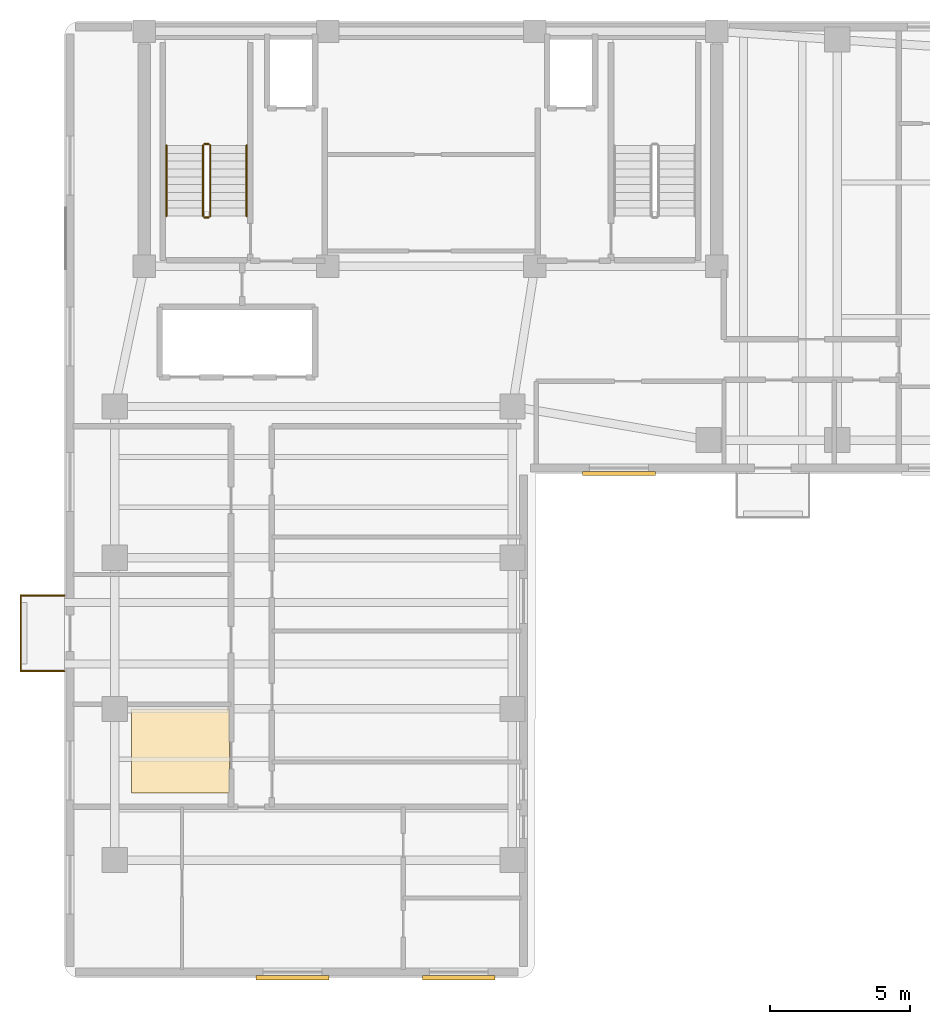
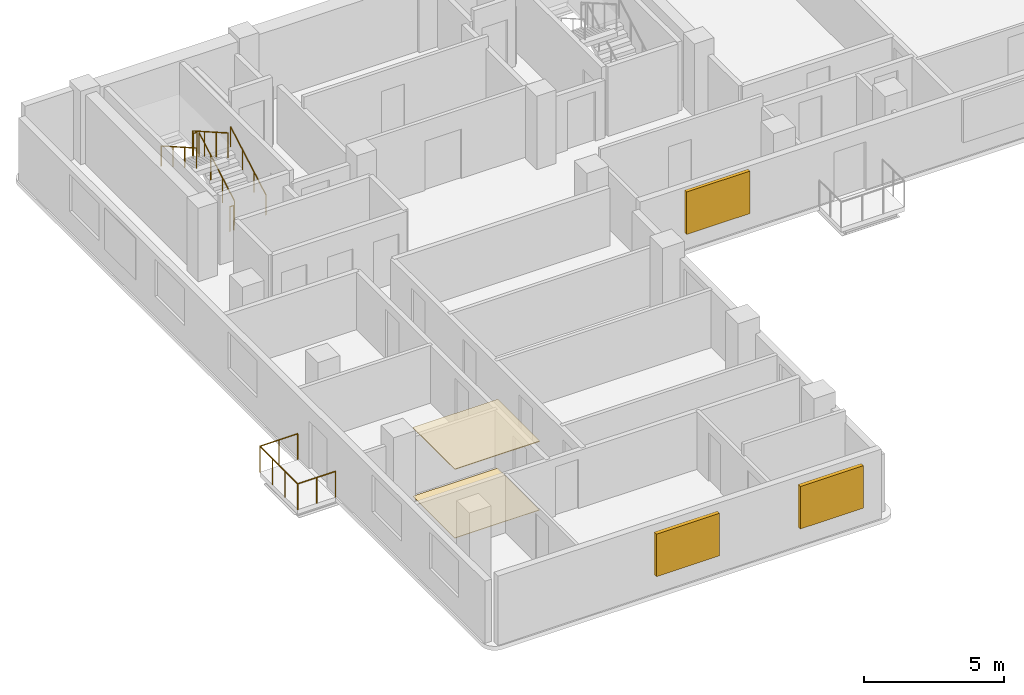
# One storey, part 5 of 6: 9 railings, 3 shading devices, 2 coverings.
"""IFC4 building model written with IfcOpenShell, lengths in metres."""

from ifc_helpers import new_model, si_unit, direction, frame, origin, origin_2d, place, context, subcontext, project, spatial, polyline, rectangle, circle, outline, extrude, material, layer, layer_set, type_object, element, save


model = new_model("IFC4")

# Units and contexts
model_context = context("Model", 3, precision=1e-05, world=origin(), true_north=direction((0.0, 1.0)))
body_context = subcontext(model_context, "Body", "Model", "MODEL_VIEW")
ifc_project = project(units=[si_unit("LENGTHUNIT", "METRE"), si_unit("AREAUNIT", "SQUARE_METRE"), si_unit("VOLUMEUNIT", "CUBIC_METRE"), si_unit("PLANEANGLEUNIT", "RADIAN"), si_unit("MASSUNIT", "GRAM", prefix="KILO")], contexts=[model_context])

# Site, building, storey
site_placement = place(None, origin())
site = spatial("IfcSite", under=ifc_project, at=site_placement, CompositionType="ELEMENT")
building_placement = place(site_placement, origin())
building = spatial("IfcBuilding", under=site, at=building_placement, Name="Kuzgunbayir Cultural Tower", CompositionType="ELEMENT")
storey_placement = place(building_placement, frame((0.0, 0.0, 195.199951171875)))
storey = spatial("IfcBuildingStorey", under=building, at=storey_placement, Name="L57", CompositionType="ELEMENT", Elevation=195.199951171875)

# Coverings
ifc_material_1 = material(Name="Perforated Gypsum Acoustic Tile", Category="gypsum")
ifc_layer_1 = layer(ifc_material_1, 0.02490234375)
ifc_layer_set_1 = layer_set([ifc_layer_1], Name="Perforated Gypsum Acoustic Tile")
covering_type_1 = type_object("IfcCoveringType", Name="COV-CEIL-ACOUSTIC", PredefinedType="CEILING", material=ifc_layer_set_1)
covering_1_placement = place(storey_placement, frame((0.0, 0.0, 2.989990234375)))
element("IfcCovering", 1, at=covering_1_placement, inside=storey, type_object=covering_type_1, Name="L57 Acoustic Soffit Ceiling", PredefinedType="CEILING", context=body_context, shape_type="SweptSolid", body=[
    extrude(outline(polyline([(6.0, 15.0), (9.5, 15.0), (9.5, 18.0), (6.0, 18.0), (6.0, 15.0)])), origin(), (0.0, 0.0, 1.0), 0.030029296875),
])
ifc_material_2 = material(Name="Engineered Anatolian Oak Parquet", Category="wood")
ifc_layer_2 = layer(ifc_material_2, 0.02197265625)
ifc_layer_set_2 = layer_set([ifc_layer_2], Name="Engineered Anatolian Oak Parquet")
covering_type_2 = type_object("IfcCoveringType", Name="COV-FLOOR-OAK", PredefinedType="FLOORING", material=ifc_layer_set_2)
covering_2_placement = place(storey_placement, origin())
element("IfcCovering", 2, at=covering_2_placement, inside=storey, type_object=covering_type_2, Name="L57 Acoustic Floor Finish", PredefinedType="FLOORING", context=body_context, shape_type="SweptSolid", body=[
    extrude(outline(polyline([(6.0, 15.0), (9.5, 15.0), (9.5, 18.0), (6.0, 18.0), (6.0, 15.0)])), origin(), (0.0, 0.0, 1.0), 0.02001953125),
])

# Railings
ifc_material_3 = material(Name="Laminated Glass and Stainless Steel", Category="steel")
ifc_layer_3 = layer(ifc_material_3, 0.080078125)
ifc_layer_set_3 = layer_set([ifc_layer_3], Name="Laminated Glass and Stainless Steel")
railing_type_1 = type_object("IfcRailingType", Name="RLG-BAL-115", PredefinedType="BALUSTRADE", material=ifc_layer_set_3)
railing_1_placement = place(storey_placement, frame((3.60009765625, 19.35009765625, 0.0)))
element("IfcRailing", 3, at=railing_1_placement, inside=storey, type_object=railing_type_1, Name="L57 Balcony Guard BAL-L57-WA2 Segment 1", PredefinedType="BALUSTRADE", context=body_context, shape_type="SweptSolid", body=[
    extrude(circle(Radius=0.02392578125, at=origin_2d()), frame((0.0, 0.0, 1.1259765625), z_axis=(-1.0, 0.0, 0.0), x_axis=(0.0, -1.0, 0.0)), (0.0, 0.0, 1.0), 1.56005859375),
    extrude(circle(Radius=0.02099609375, at=origin_2d()), origin(), (0.0, 0.0, 1.0), 1.101806640625),
    extrude(circle(Radius=0.02099609375, at=origin_2d()), frame((-0.780029296875, 0.0, 0.0)), (0.0, 0.0, 1.0), 1.101806640625),
    extrude(circle(Radius=0.02099609375, at=origin_2d()), frame((-1.56005859375, 0.0, 0.0)), (0.0, 0.0, 1.0), 1.101806640625),
])
railing_2_placement = place(storey_placement, frame((2.0400390625, 19.35009765625, 0.0)))
element("IfcRailing", 4, at=railing_2_placement, inside=storey, type_object=railing_type_1, Name="L57 Balcony Guard BAL-L57-WA2 Segment 2", PredefinedType="BALUSTRADE", context=body_context, shape_type="SweptSolid", body=[
    extrude(circle(Radius=0.02392578125, at=origin_2d()), frame((0.0, 0.0, 1.1259765625), z_axis=(0.0, 1.0, 0.0), x_axis=(-1.0, 0.0, 0.0)), (0.0, 0.0, 1.0), 2.699951171875),
    extrude(circle(Radius=0.02099609375, at=origin_2d()), origin(), (0.0, 0.0, 1.0), 1.101806640625),
    extrude(circle(Radius=0.02099609375, at=origin_2d()), frame((0.0, 0.89990234375, 0.0)), (0.0, 0.0, 1.0), 1.101806640625),
    extrude(circle(Radius=0.02099609375, at=origin_2d()), frame((0.0, 1.800048828125, 0.0)), (0.0, 0.0, 1.0), 1.101806640625),
    extrude(circle(Radius=0.02099609375, at=origin_2d()), frame((0.0, 2.699951171875, 0.0)), (0.0, 0.0, 1.0), 1.101806640625),
])
railing_3_placement = place(storey_placement, frame((2.0400390625, 22.050048828125, 0.0)))
element("IfcRailing", 5, at=railing_3_placement, inside=storey, type_object=railing_type_1, Name="L57 Balcony Guard BAL-L57-WA2 Segment 3", PredefinedType="BALUSTRADE", context=body_context, shape_type="SweptSolid", body=[
    extrude(circle(Radius=0.02392578125, at=origin_2d()), frame((0.0, 0.0, 1.1259765625), z_axis=(1.0, 0.0, 0.0), x_axis=(0.0, 1.0, 0.0)), (0.0, 0.0, 1.0), 1.56005859375),
    extrude(circle(Radius=0.02099609375, at=origin_2d()), origin(), (0.0, 0.0, 1.0), 1.101806640625),
    extrude(circle(Radius=0.02099609375, at=origin_2d()), frame((0.780029296875, 0.0, 0.0)), (0.0, 0.0, 1.0), 1.101806640625),
    extrude(circle(Radius=0.02099609375, at=origin_2d()), frame((1.56005859375, 0.0, 0.0)), (0.0, 0.0, 1.0), 1.101806640625),
])
ifc_material_4 = material(Name="Brushed Stainless Steel", Category="steel")
ifc_layer_4 = layer(ifc_material_4, 0.050048828125)
ifc_layer_set_4 = layer_set([ifc_layer_4], Name="Brushed Stainless Steel")
railing_type_2 = type_object("IfcRailingType", Name="RLG-STAIR-HANDRAIL", PredefinedType="HANDRAIL", material=ifc_layer_set_4)
railing_4_placement = place(storey_placement, frame((10.110107421875, 35.60009765625, 0.16015625)))
element("IfcRailing", 6, at=railing_4_placement, inside=storey, type_object=railing_type_2, Name="L57 ST-1 stair handrail 1", PredefinedType="HANDRAIL", context=body_context, shape_type="SweptSolid", body=[
    extrude(circle(Radius=0.02392578125, at=origin_2d()), frame((0.0, 0.0, 0.8759765625), z_axis=(0.0, 0.868253494771, 0.496120820787), x_axis=(-1.0, 0.0, 0.0)), (0.0, 0.0, 1.0), 2.90234375),
    extrude(circle(Radius=0.02099609375, at=origin_2d()), origin(), (0.0, 0.0, 1.0), 0.851806640625),
    extrude(circle(Radius=0.02099609375, at=origin_2d()), frame((0.0, 0.840087890625, 0.47998046875)), (0.0, 0.0, 1.0), 0.851806640625),
    extrude(circle(Radius=0.02099609375, at=origin_2d()), frame((0.0, 1.679931640625, 0.9599609375)), (0.0, 0.0, 1.0), 0.851806640625),
    extrude(circle(Radius=0.02099609375, at=origin_2d()), frame((0.0, 2.52001953125, 1.43994140625)), (0.0, 0.0, 1.0), 0.851806640625),
])
railing_5_placement = place(storey_placement, frame((7.25, 38.1201171875, 1.760009765625)))
element("IfcRailing", 7, at=railing_5_placement, inside=storey, type_object=railing_type_2, Name="L57 ST-1 stair handrail 2", PredefinedType="HANDRAIL", context=body_context, shape_type="SweptSolid", body=[
    extrude(circle(Radius=0.02392578125, at=origin_2d()), frame((0.0, 0.0, 0.8759765625), z_axis=(0.0, -0.868253494771, 0.496120820787), x_axis=(1.0, 0.0, 0.0)), (0.0, 0.0, 1.0), 2.90234375),
    extrude(circle(Radius=0.02099609375, at=origin_2d()), origin(), (0.0, 0.0, 1.0), 0.851806640625),
    extrude(circle(Radius=0.02099609375, at=origin_2d()), frame((0.0, -0.840087890625, 0.47998046875)), (0.0, 0.0, 1.0), 0.851806640625),
    extrude(circle(Radius=0.02099609375, at=origin_2d()), frame((0.0, -1.679931640625, 0.9599609375)), (0.0, 0.0, 1.0), 0.851806640625),
    extrude(circle(Radius=0.02099609375, at=origin_2d()), frame((0.0, -2.52001953125, 1.43994140625)), (0.0, 0.0, 1.0), 0.851806640625),
])
ifc_material_5 = material(Name="Painted Steel Balustrade", Category="steel")
ifc_layer_5 = layer(ifc_material_5, 0.06005859375)
ifc_layer_set_5 = layer_set([ifc_layer_5], Name="Painted Steel Balustrade")
railing_type_3 = type_object("IfcRailingType", Name="RLG-WELL-GUARD", PredefinedType="GUARDRAIL", material=ifc_layer_set_5)
railing_6_placement = place(storey_placement, frame((8.81005859375, 35.60009765625, 0.16015625)))
element("IfcRailing", 8, at=railing_6_placement, inside=storey, type_object=railing_type_3, Name="L57 ST-1 stair guard 1", PredefinedType="GUARDRAIL", context=body_context, shape_type="SweptSolid", body=[
    extrude(circle(Radius=0.02392578125, at=origin_2d()), frame((0.0, 0.0, 1.076171875), z_axis=(0.0, 0.868253494771, 0.496120820787), x_axis=(-1.0, 0.0, 0.0)), (0.0, 0.0, 1.0), 2.90234375),
    extrude(circle(Radius=0.02099609375, at=origin_2d()), origin(), (0.0, 0.0, 1.0), 1.052001953125),
    extrude(circle(Radius=0.02099609375, at=origin_2d()), frame((0.0, 0.840087890625, 0.47998046875)), (0.0, 0.0, 1.0), 1.052001953125),
    extrude(circle(Radius=0.02099609375, at=origin_2d()), frame((0.0, 1.679931640625, 0.9599609375)), (0.0, 0.0, 1.0), 1.052001953125),
    extrude(circle(Radius=0.02099609375, at=origin_2d()), frame((0.0, 2.52001953125, 1.43994140625)), (0.0, 0.0, 1.0), 1.052001953125),
])
railing_7_placement = place(storey_placement, frame((8.760009765625, 38.169921875, 1.60009765625)))
element("IfcRailing", 9, at=railing_7_placement, inside=storey, type_object=railing_type_3, Name="L57 ST-1 stair guard 2", PredefinedType="GUARDRAIL", context=body_context, shape_type="SweptSolid", body=[
    extrude(circle(Radius=0.02392578125, at=origin_2d()), frame((0.0, 0.0, 1.076171875), z_axis=(-1.0, 0.0, 0.0), x_axis=(0.0, -1.0, 0.0)), (0.0, 0.0, 1.0), 0.159912109375),
    extrude(circle(Radius=0.02099609375, at=origin_2d()), origin(), (0.0, 0.0, 1.0), 1.052001953125),
    extrude(circle(Radius=0.02099609375, at=origin_2d()), frame((-0.159912109375, 0.0, 0.0)), (0.0, 0.0, 1.0), 1.052001953125),
])
railing_8_placement = place(storey_placement, frame((8.550048828125, 38.1201171875, 1.760009765625)))
element("IfcRailing", 10, at=railing_8_placement, inside=storey, type_object=railing_type_3, Name="L57 ST-1 stair guard 3", PredefinedType="GUARDRAIL", context=body_context, shape_type="SweptSolid", body=[
    extrude(circle(Radius=0.02392578125, at=origin_2d()), frame((0.0, 0.0, 1.076171875), z_axis=(0.0, -0.868253494771, 0.496120820787), x_axis=(1.0, 0.0, 0.0)), (0.0, 0.0, 1.0), 2.90234375),
    extrude(circle(Radius=0.02099609375, at=origin_2d()), origin(), (0.0, 0.0, 1.0), 1.052001953125),
    extrude(circle(Radius=0.02099609375, at=origin_2d()), frame((0.0, -0.840087890625, 0.47998046875)), (0.0, 0.0, 1.0), 1.052001953125),
    extrude(circle(Radius=0.02099609375, at=origin_2d()), frame((0.0, -1.679931640625, 0.9599609375)), (0.0, 0.0, 1.0), 1.052001953125),
    extrude(circle(Radius=0.02099609375, at=origin_2d()), frame((0.0, -2.52001953125, 1.43994140625)), (0.0, 0.0, 1.0), 1.052001953125),
])
railing_9_placement = place(storey_placement, frame((8.760009765625, 35.550048828125, 0.0)))
element("IfcRailing", 11, at=railing_9_placement, inside=storey, type_object=railing_type_3, Name="L57 ST-1 stair guard 4", PredefinedType="GUARDRAIL", context=body_context, shape_type="SweptSolid", body=[
    extrude(circle(Radius=0.02392578125, at=origin_2d()), frame((0.0, 0.0, 1.076171875), z_axis=(-1.0, 0.0, 0.0), x_axis=(0.0, -1.0, 0.0)), (0.0, 0.0, 1.0), 0.159912109375),
    extrude(circle(Radius=0.02099609375, at=origin_2d()), origin(), (0.0, 0.0, 1.0), 1.052001953125),
    extrude(circle(Radius=0.02099609375, at=origin_2d()), frame((-0.159912109375, 0.0, 0.0)), (0.0, 0.0, 1.0), 1.052001953125),
])

# Shading devices
ifc_material_6 = material(Name="Perforated Bronze-Anodised Aluminium", Category="aluminium")
shading_device_type_1 = type_object("IfcShadingDeviceType", Name="SHD-SOLAR-BRONZE", PredefinedType="JALOUSIE", material=ifc_material_6)
shading_device_placement = place(storey_placement, frame((23.39990234375, 26.409912109375, 0.72509765625), z_axis=(0.0, 0.0, 1.0), x_axis=(1.0, 0.0, 0.0)))
element("IfcShadingDevice", 12, at=shading_device_placement, inside=storey, type_object=shading_device_type_1, Name="L57 Solar Screen WBS15", PredefinedType="JALOUSIE", context=body_context, shape_type="SweptSolid", body=[
    extrude(rectangle(XDim=2.60009765625, YDim=0.139892578125, at=origin_2d()), origin(), (0.0, 0.0, 1.0), 1.85009765625),
])
ifc_material_7 = material(Name="Warm Terracotta Ceramic Baguette", Category="masonry")
shading_device_type_2 = type_object("IfcShadingDeviceType", Name="SHD-SOLAR-CERAMIC", PredefinedType="SHUTTER", material=ifc_material_7)
for number, where, z_axis, x_axis, name in (
    (13, (11.75, 8.39990234375, 0.824951171875), (0.0, 0.0, 1.0), (1.0, 0.0, 0.0), "L57 Solar Screen WAS2"),
    (14, (17.679931640625, 8.39990234375, 0.824951171875), (0.0, 0.0, 1.0), (1.0, 0.0, 0.0), "L57 Solar Screen WAS3"),
):
    element("IfcShadingDevice", number, at=place(storey_placement, frame(where, z_axis=z_axis, x_axis=x_axis)), inside=storey, type_object=shading_device_type_2, Name=name, PredefinedType="SHUTTER", context=body_context, shape_type="SweptSolid", body=[
        extrude(rectangle(XDim=2.60009765625, YDim=0.159912109375, at=origin_2d()), origin(), (0.0, 0.0, 1.0), 1.85009765625),
    ])

save(model, "model.ifc")
